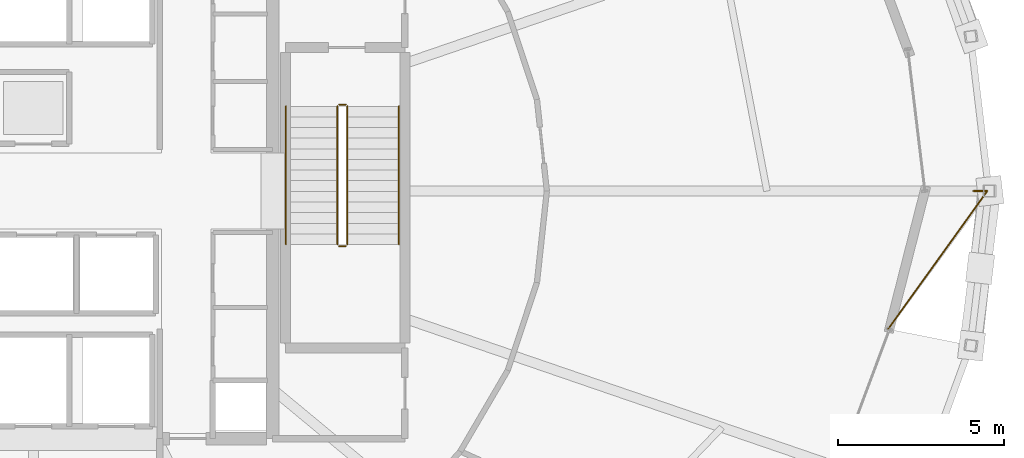
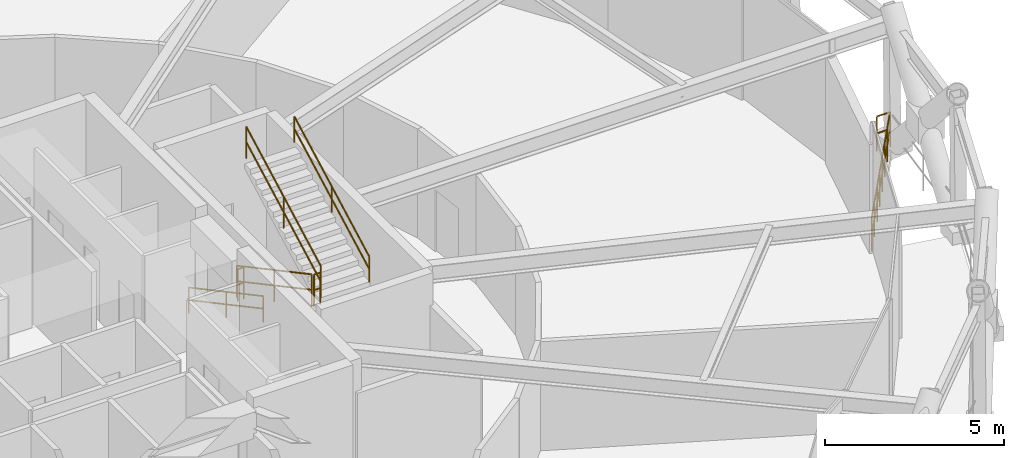
# One storey, part 38 of 39: 7 railings.
"""IFC4 building model written with IfcOpenShell, lengths in metres."""

from ifc_helpers import new_model, si_unit, direction, frame, origin, origin_2d, place, context, subcontext, project, spatial, circle, extrude, material, type_object, element, save


model = new_model("IFC4")

# Units and contexts
model_context = context("Model", 3, precision=1e-05, world=origin(), true_north=direction((0.0, 1.0)))
body_context = subcontext(model_context, "Body", "Model", "MODEL_VIEW")
ifc_project = project(units=[si_unit("LENGTHUNIT", "METRE"), si_unit("AREAUNIT", "SQUARE_METRE"), si_unit("VOLUMEUNIT", "CUBIC_METRE"), si_unit("PLANEANGLEUNIT", "RADIAN"), si_unit("MASSUNIT", "GRAM", prefix="KILO")], contexts=[model_context])

# Site, building, storey
site_placement = place(None, origin())
site = spatial("IfcSite", under=ifc_project, at=site_placement, CompositionType="ELEMENT")
building_placement = place(site_placement, origin())
building = spatial("IfcBuilding", under=site, at=building_placement, Name="Veldorina Hangang Commons", CompositionType="ELEMENT")
storey_placement = place(building_placement, frame((0.0, 0.0, 106.0)))
storey = spatial("IfcBuildingStorey", under=building, at=storey_placement, Name="L27", CompositionType="ELEMENT", Elevation=106.0)

# Railings
ifc_material_1 = material(Name="Glass Laminated Safety Balustrade", Category="glass")
railing_type_1 = type_object("IfcRailingType", Name="RL-BAL-LOGGIA", PredefinedType="BALUSTRADE", material=ifc_material_1)
railing_1_placement = place(storey_placement, frame((60.282958984375, 24.0, 0.0)))
element("IfcRailing", 1, at=railing_1_placement, inside=storey, type_object=railing_type_1, Name="L27 sky-garden loggia end balustrade B", PredefinedType="BALUSTRADE", context=body_context, shape_type="SweptSolid", body=[
    extrude(circle(Radius=0.02392578125, at=origin_2d()), frame((0.0, 0.0, 1.17578125), z_axis=(1.0, 0.0, 0.0), x_axis=(0.0, 1.0, 0.0)), (0.0, 0.0, 1.0), 0.419921875),
    extrude(circle(Radius=0.02392578125, at=origin_2d()), frame((0.0, 0.0, 0.60009765625), z_axis=(1.0, 0.0, 0.0), x_axis=(0.0, 1.0, 0.0)), (0.0, 0.0, 1.0), 0.419921875),
    extrude(circle(Radius=0.02392578125, at=origin_2d()), frame((0.419921875, 0.0, 1.17578125), z_axis=(-0.583385238338, -0.812195582165, 0.0), x_axis=(0.812195582165, -0.583385238338, 0.0)), (0.0, 0.0, 1.0), 5.115234375),
    extrude(circle(Radius=0.02392578125, at=origin_2d()), frame((0.419921875, 0.0, 0.60009765625), z_axis=(-0.583385238338, -0.812195582165, 0.0), x_axis=(0.812195582165, -0.583385238338, 0.0)), (0.0, 0.0, 1.0), 5.115234375),
    extrude(circle(Radius=0.02099609375, at=origin_2d()), origin(), (0.0, 0.0, 1.0), 1.15185546875),
    extrude(circle(Radius=0.02099609375, at=origin_2d()), frame((0.419921875, 0.0, 0.0)), (0.0, 0.0, 1.0), 1.15185546875),
    extrude(circle(Radius=0.02099609375, at=origin_2d()), frame((-0.00634765625, -0.593505859375, 0.0)), (0.0, 0.0, 1.0), 1.15185546875),
    extrude(circle(Radius=0.02099609375, at=origin_2d()), frame((-0.4326171875, -1.18701171875, 0.0)), (0.0, 0.0, 1.0), 1.15185546875),
    extrude(circle(Radius=0.02099609375, at=origin_2d()), frame((-0.85888671875, -1.780517578125, 0.0)), (0.0, 0.0, 1.0), 1.15185546875),
    extrude(circle(Radius=0.02099609375, at=origin_2d()), frame((-1.285400390625, -2.3740234375, 0.0)), (0.0, 0.0, 1.0), 1.15185546875),
    extrude(circle(Radius=0.02099609375, at=origin_2d()), frame((-1.711669921875, -2.967529296875, 0.0)), (0.0, 0.0, 1.0), 1.15185546875),
    extrude(circle(Radius=0.02099609375, at=origin_2d()), frame((-2.137939453125, -3.56103515625, 0.0)), (0.0, 0.0, 1.0), 1.15185546875),
    extrude(circle(Radius=0.02099609375, at=origin_2d()), frame((-2.564208984375, -4.154541015625, 0.0)), (0.0, 0.0, 1.0), 1.15185546875),
])
ifc_material_2 = material(Name="Steel Painted Balustrade", Category="steel")
railing_type_2 = type_object("IfcRailingType", Name="RL-GRD-STAIR", PredefinedType="GUARDRAIL", material=ifc_material_2)
railing_2_placement = place(storey_placement, frame((41.14990234375, 26.550048828125, 0.17138671875)))
element("IfcRailing", 2, at=railing_2_placement, inside=storey, type_object=railing_type_2, Name="L27 ST-2 stair guard 1", PredefinedType="GUARDRAIL", context=body_context, shape_type="SweptSolid", body=[
    extrude(circle(Radius=0.02392578125, at=origin_2d()), frame((0.0, 0.0, 1.076171875), z_axis=(0.0, -0.881492274372, 0.472198443689), x_axis=(1.0, 0.0, 0.0)), (0.0, 0.0, 1.0), 4.719482421875),
    extrude(circle(Radius=0.02392578125, at=origin_2d()), frame((0.0, 0.0, 0.550048828125), z_axis=(0.0, -0.881492274372, 0.472198443689), x_axis=(1.0, 0.0, 0.0)), (0.0, 0.0, 1.0), 4.719482421875),
    extrude(circle(Radius=0.02099609375, at=origin_2d()), origin(), (0.0, 0.0, 1.0), 1.052001953125),
    extrude(circle(Radius=0.02099609375, at=origin_2d()), frame((0.0, -2.080078125, 1.1142578125)), (0.0, 0.0, 1.0), 1.052001953125),
    extrude(circle(Radius=0.02099609375, at=origin_2d()), frame((0.0, -4.16015625, 2.228515625)), (0.0, 0.0, 1.0), 1.052001953125),
])
railing_3_placement = place(storey_placement, frame((41.199951171875, 22.340087890625, 2.39990234375)))
element("IfcRailing", 3, at=railing_3_placement, inside=storey, type_object=railing_type_2, Name="L27 ST-2 stair guard 2", PredefinedType="GUARDRAIL", context=body_context, shape_type="SweptSolid", body=[
    extrude(circle(Radius=0.02392578125, at=origin_2d()), frame((0.0, 0.0, 1.076171875), z_axis=(1.0, 0.0, 0.0), x_axis=(0.0, 1.0, 0.0)), (0.0, 0.0, 1.0), 0.199951171875),
    extrude(circle(Radius=0.02392578125, at=origin_2d()), frame((0.0, 0.0, 0.550048828125), z_axis=(1.0, 0.0, 0.0), x_axis=(0.0, 1.0, 0.0)), (0.0, 0.0, 1.0), 0.199951171875),
    extrude(circle(Radius=0.02099609375, at=origin_2d()), origin(), (0.0, 0.0, 1.0), 1.052001953125),
    extrude(circle(Radius=0.02099609375, at=origin_2d()), frame((0.199951171875, 0.0, 0.0)), (0.0, 0.0, 1.0), 1.052001953125),
])
railing_4_placement = place(storey_placement, frame((41.449951171875, 22.389892578125, 2.571533203125)))
element("IfcRailing", 4, at=railing_4_placement, inside=storey, type_object=railing_type_2, Name="L27 ST-2 stair guard 3", PredefinedType="GUARDRAIL", context=body_context, shape_type="SweptSolid", body=[
    extrude(circle(Radius=0.02392578125, at=origin_2d()), frame((0.0, 0.0, 1.076171875), z_axis=(0.0, 0.881492274372, 0.472198443689), x_axis=(-1.0, 0.0, 0.0)), (0.0, 0.0, 1.0), 4.719482421875),
    extrude(circle(Radius=0.02392578125, at=origin_2d()), frame((0.0, 0.0, 0.550048828125), z_axis=(0.0, 0.881492274372, 0.472198443689), x_axis=(-1.0, 0.0, 0.0)), (0.0, 0.0, 1.0), 4.719482421875),
    extrude(circle(Radius=0.02099609375, at=origin_2d()), origin(), (0.0, 0.0, 1.0), 1.052001953125),
    extrude(circle(Radius=0.02099609375, at=origin_2d()), frame((0.0, 2.080078125, 1.1142578125)), (0.0, 0.0, 1.0), 1.052001953125),
    extrude(circle(Radius=0.02099609375, at=origin_2d()), frame((0.0, 4.16015625, 2.228515625)), (0.0, 0.0, 1.0), 1.052001953125),
])
railing_5_placement = place(storey_placement, frame((41.199951171875, 26.60009765625, 0.0)))
element("IfcRailing", 5, at=railing_5_placement, inside=storey, type_object=railing_type_2, Name="L27 ST-2 stair guard 4", PredefinedType="GUARDRAIL", context=body_context, shape_type="SweptSolid", body=[
    extrude(circle(Radius=0.02392578125, at=origin_2d()), frame((0.0, 0.0, 1.076171875), z_axis=(1.0, 0.0, 0.0), x_axis=(0.0, 1.0, 0.0)), (0.0, 0.0, 1.0), 0.199951171875),
    extrude(circle(Radius=0.02392578125, at=origin_2d()), frame((0.0, 0.0, 0.550048828125), z_axis=(1.0, 0.0, 0.0), x_axis=(0.0, 1.0, 0.0)), (0.0, 0.0, 1.0), 0.199951171875),
    extrude(circle(Radius=0.02099609375, at=origin_2d()), origin(), (0.0, 0.0, 1.0), 1.052001953125),
    extrude(circle(Radius=0.02099609375, at=origin_2d()), frame((0.199951171875, 0.0, 0.0)), (0.0, 0.0, 1.0), 1.052001953125),
])
ifc_material_3 = material(Name="Stainless Steel Brushed 316", Category="steel")
railing_type_3 = type_object("IfcRailingType", Name="RL-HND-STAIR", PredefinedType="HANDRAIL", material=ifc_material_3)
railing_6_placement = place(storey_placement, frame((39.60009765625, 26.550048828125, 0.17138671875)))
element("IfcRailing", 6, at=railing_6_placement, inside=storey, type_object=railing_type_3, Name="L27 ST-2 stair handrail 1", PredefinedType="HANDRAIL", context=body_context, shape_type="SweptSolid", body=[
    extrude(circle(Radius=0.02392578125, at=origin_2d()), frame((0.0, 0.0, 0.8759765625), z_axis=(0.0, -0.881492274372, 0.472198443689), x_axis=(1.0, 0.0, 0.0)), (0.0, 0.0, 1.0), 4.719482421875),
    extrude(circle(Radius=0.02392578125, at=origin_2d()), frame((0.0, 0.0, 0.449951171875), z_axis=(0.0, -0.881492274372, 0.472198443689), x_axis=(1.0, 0.0, 0.0)), (0.0, 0.0, 1.0), 4.719482421875),
    extrude(circle(Radius=0.02099609375, at=origin_2d()), origin(), (0.0, 0.0, 1.0), 0.851806640625),
    extrude(circle(Radius=0.02099609375, at=origin_2d()), frame((0.0, -2.080078125, 1.1142578125)), (0.0, 0.0, 1.0), 0.851806640625),
    extrude(circle(Radius=0.02099609375, at=origin_2d()), frame((0.0, -4.16015625, 2.228515625)), (0.0, 0.0, 1.0), 0.851806640625),
])
railing_7_placement = place(storey_placement, frame((43.0, 22.389892578125, 2.571533203125)))
element("IfcRailing", 7, at=railing_7_placement, inside=storey, type_object=railing_type_3, Name="L27 ST-2 stair handrail 2", PredefinedType="HANDRAIL", context=body_context, shape_type="SweptSolid", body=[
    extrude(circle(Radius=0.02392578125, at=origin_2d()), frame((0.0, 0.0, 0.8759765625), z_axis=(0.0, 0.881492274372, 0.472198443689), x_axis=(-1.0, 0.0, 0.0)), (0.0, 0.0, 1.0), 4.719482421875),
    extrude(circle(Radius=0.02392578125, at=origin_2d()), frame((0.0, 0.0, 0.449951171875), z_axis=(0.0, 0.881492274372, 0.472198443689), x_axis=(-1.0, 0.0, 0.0)), (0.0, 0.0, 1.0), 4.719482421875),
    extrude(circle(Radius=0.02099609375, at=origin_2d()), origin(), (0.0, 0.0, 1.0), 0.851806640625),
    extrude(circle(Radius=0.02099609375, at=origin_2d()), frame((0.0, 2.080078125, 1.1142578125)), (0.0, 0.0, 1.0), 0.851806640625),
    extrude(circle(Radius=0.02099609375, at=origin_2d()), frame((0.0, 4.16015625, 2.228515625)), (0.0, 0.0, 1.0), 0.851806640625),
])

save(model, "model.ifc")
